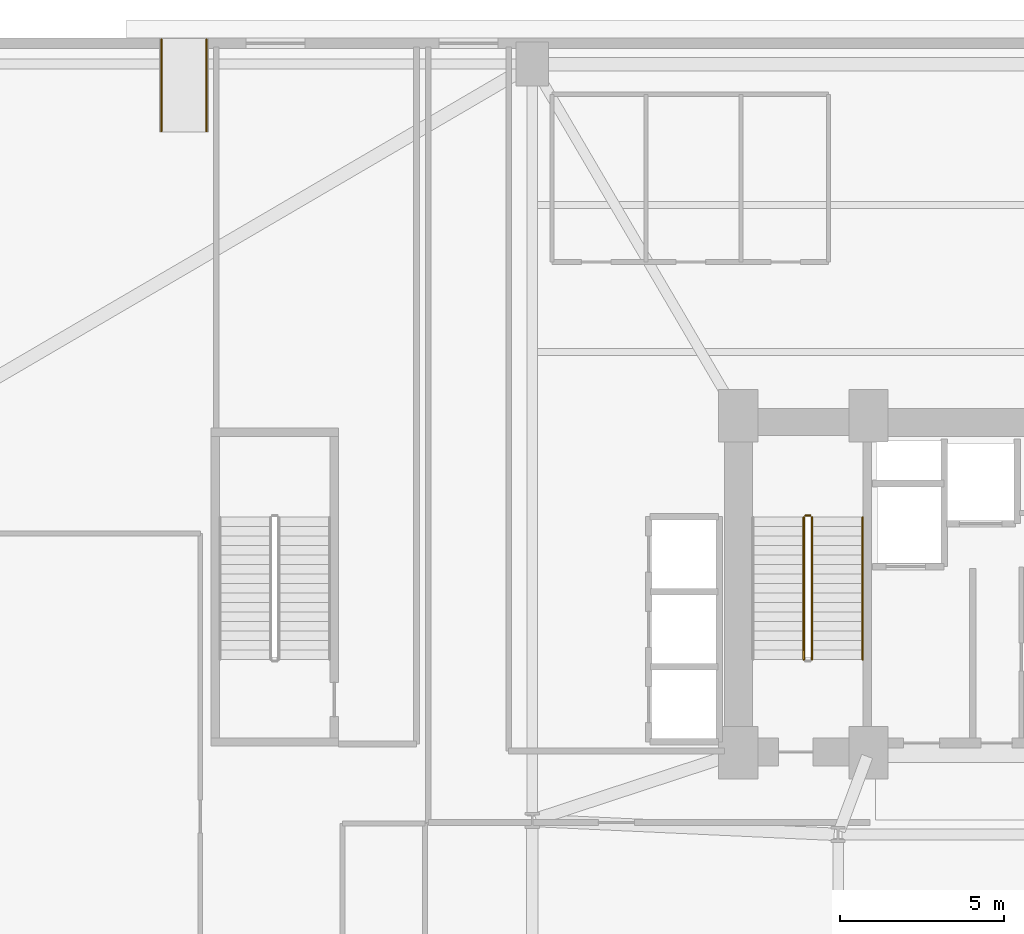
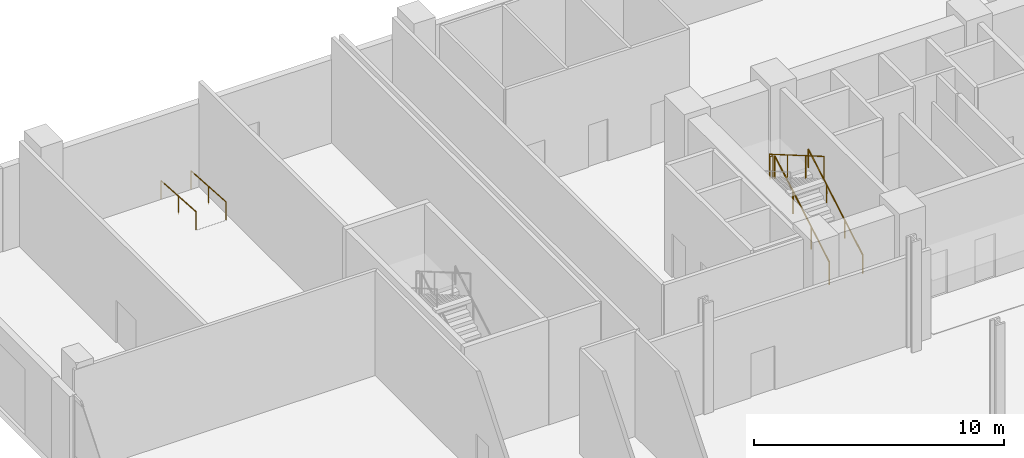
# One storey, part 23 of 26: 6 railings.
"""IFC4 building model written with IfcOpenShell, lengths in metres."""

from ifc_helpers import new_model, si_unit, direction, frame, origin, origin_2d, place, context, subcontext, project, spatial, circle, extrude, material, type_object, element, save


model = new_model("IFC4")

# Units and contexts
model_context = context("Model", 3, precision=1e-05, world=origin(), true_north=direction((0.0, 1.0)))
body_context = subcontext(model_context, "Body", "Model", "MODEL_VIEW")
ifc_project = project(units=[si_unit("LENGTHUNIT", "METRE"), si_unit("AREAUNIT", "SQUARE_METRE"), si_unit("VOLUMEUNIT", "CUBIC_METRE"), si_unit("PLANEANGLEUNIT", "RADIAN"), si_unit("MASSUNIT", "GRAM", prefix="KILO")], contexts=[model_context])

# Site, building, storey
site_placement = place(None, origin())
site = spatial("IfcSite", under=ifc_project, at=site_placement, CompositionType="ELEMENT")
building_placement = place(site_placement, origin())
building = spatial("IfcBuilding", under=site, at=building_placement, Name="Varnelok Gate Tower", CompositionType="ELEMENT")
storey_placement = place(building_placement, origin())
storey = spatial("IfcBuildingStorey", under=building, at=storey_placement, Name="L00", CompositionType="ELEMENT", Elevation=0.0)

# Railings
ifc_material_1 = material(Name="Brushed Stainless Steel AISI 316", Category="steel")
railing_type_1 = type_object("IfcRailingType", Name="RL-HANDRAIL-900", PredefinedType="HANDRAIL", material=ifc_material_1)
railing_1_placement = place(storey_placement, frame((34.5, 31.60009765625, 0.168701171875)))
element("IfcRailing", 1, at=railing_1_placement, inside=storey, type_object=railing_type_1, Name="L00 ST-1 stair handrail 1", PredefinedType="HANDRAIL", context=body_context, shape_type="SweptSolid", body=[
    extrude(circle(Radius=0.02392578125, at=origin_2d()), frame((0.0, 0.0, 0.8759765625), z_axis=(0.0, 0.864311530196, 0.502956835891), x_axis=(-1.0, 0.0, 0.0)), (0.0, 0.0, 1.0), 5.03271484375),
    extrude(circle(Radius=0.02099609375, at=origin_2d()), origin(), (0.0, 0.0, 1.0), 0.851806640625),
    extrude(circle(Radius=0.02099609375, at=origin_2d()), frame((0.0, 1.449951171875, 0.84375)), (0.0, 0.0, 1.0), 0.851806640625),
    extrude(circle(Radius=0.02099609375, at=origin_2d()), frame((0.0, 2.89990234375, 1.6875)), (0.0, 0.0, 1.0), 0.851806640625),
    extrude(circle(Radius=0.02099609375, at=origin_2d()), frame((0.0, 4.349853515625, 2.53125)), (0.0, 0.0, 1.0), 0.851806640625),
])
railing_type_2 = type_object("IfcRailingType", Name="RL-RAMP-HAND900", PredefinedType="HANDRAIL", material=ifc_material_1)
for number, where, name in (
    (2, (13.06005859375, 47.75, 0.0), "Accessible Ramp AR-3 Handrail W"),
    (3, (14.43994140625, 47.75, 0.0), "Accessible Ramp AR-3 Handrail E"),
):
    element("IfcRailing", number, at=place(storey_placement, frame(where)), inside=storey, type_object=railing_type_2, Name=name, PredefinedType="HANDRAIL", context=body_context, shape_type="SweptSolid", body=[
        extrude(circle(Radius=0.02392578125, at=origin_2d()), frame((0.0, 0.0, 0.8759765625), z_axis=(0.0, 0.997941687122, -0.064127912059), x_axis=(-1.0, 0.0, 0.0)), (0.0, 0.0, 1.0), 2.805908203125),
        extrude(circle(Radius=0.02099609375, at=origin_2d()), origin(), (0.0, 0.0, 1.0), 0.851806640625),
        extrude(circle(Radius=0.02099609375, at=origin_2d()), frame((0.0, 1.39990234375, -0.08984375)), (0.0, 0.0, 1.0), 0.851806640625),
        extrude(circle(Radius=0.02099609375, at=origin_2d()), frame((0.0, 2.800048828125, -0.179931640625)), (0.0, 0.0, 1.0), 0.851806640625),
    ])
ifc_material_2 = material(Name="Galvanized Steel Grade S350GD", Category="steel")
railing_type_3 = type_object("IfcRailingType", Name="RL-STAIR-GUARD1120", PredefinedType="GUARDRAIL", material=ifc_material_2)
railing_2_placement = place(storey_placement, frame((32.949951171875, 31.60009765625, 0.168701171875)))
element("IfcRailing", 4, at=railing_2_placement, inside=storey, type_object=railing_type_3, Name="L00 ST-1 stair guard 1", PredefinedType="GUARDRAIL", context=body_context, shape_type="SweptSolid", body=[
    extrude(circle(Radius=0.02392578125, at=origin_2d()), frame((0.0, 0.0, 1.09619140625), z_axis=(0.0, 0.864311530196, 0.502956835891), x_axis=(-1.0, 0.0, 0.0)), (0.0, 0.0, 1.0), 5.03271484375),
    extrude(circle(Radius=0.02099609375, at=origin_2d()), origin(), (0.0, 0.0, 1.0), 1.072021484375),
    extrude(circle(Radius=0.02099609375, at=origin_2d()), frame((0.0, 1.449951171875, 0.84375)), (0.0, 0.0, 1.0), 1.072021484375),
    extrude(circle(Radius=0.02099609375, at=origin_2d()), frame((0.0, 2.89990234375, 1.6875)), (0.0, 0.0, 1.0), 1.072021484375),
    extrude(circle(Radius=0.02099609375, at=origin_2d()), frame((0.0, 4.349853515625, 2.53125)), (0.0, 0.0, 1.0), 1.072021484375),
])
railing_3_placement = place(storey_placement, frame((32.89990234375, 36.0, 2.699951171875)))
element("IfcRailing", 5, at=railing_3_placement, inside=storey, type_object=railing_type_3, Name="L00 ST-1 stair guard 2", PredefinedType="GUARDRAIL", context=body_context, shape_type="SweptSolid", body=[
    extrude(circle(Radius=0.02392578125, at=origin_2d()), frame((0.0, 0.0, 1.09619140625), z_axis=(-1.0, 0.0, 0.0), x_axis=(0.0, -1.0, 0.0)), (0.0, 0.0, 1.0), 0.14990234375),
    extrude(circle(Radius=0.02099609375, at=origin_2d()), origin(), (0.0, 0.0, 1.0), 1.072021484375),
    extrude(circle(Radius=0.02099609375, at=origin_2d()), frame((-0.14990234375, 0.0, 0.0)), (0.0, 0.0, 1.0), 1.072021484375),
])
railing_4_placement = place(storey_placement, frame((32.699951171875, 35.949951171875, 2.86865234375)))
element("IfcRailing", 6, at=railing_4_placement, inside=storey, type_object=railing_type_3, Name="L00 ST-1 stair guard 3", PredefinedType="GUARDRAIL", context=body_context, shape_type="SweptSolid", body=[
    extrude(circle(Radius=0.02392578125, at=origin_2d()), frame((0.0, 0.0, 1.09619140625), z_axis=(0.0, -0.864311530196, 0.502956835891), x_axis=(1.0, 0.0, 0.0)), (0.0, 0.0, 1.0), 5.03271484375),
    extrude(circle(Radius=0.02099609375, at=origin_2d()), origin(), (0.0, 0.0, 1.0), 1.072021484375),
    extrude(circle(Radius=0.02099609375, at=origin_2d()), frame((0.0, -1.449951171875, 0.84375)), (0.0, 0.0, 1.0), 1.072021484375),
    extrude(circle(Radius=0.02099609375, at=origin_2d()), frame((0.0, -2.89990234375, 1.6875)), (0.0, 0.0, 1.0), 1.072021484375),
    extrude(circle(Radius=0.02099609375, at=origin_2d()), frame((0.0, -4.349853515625, 2.53125)), (0.0, 0.0, 1.0), 1.072021484375),
])

save(model, "model.ifc")
